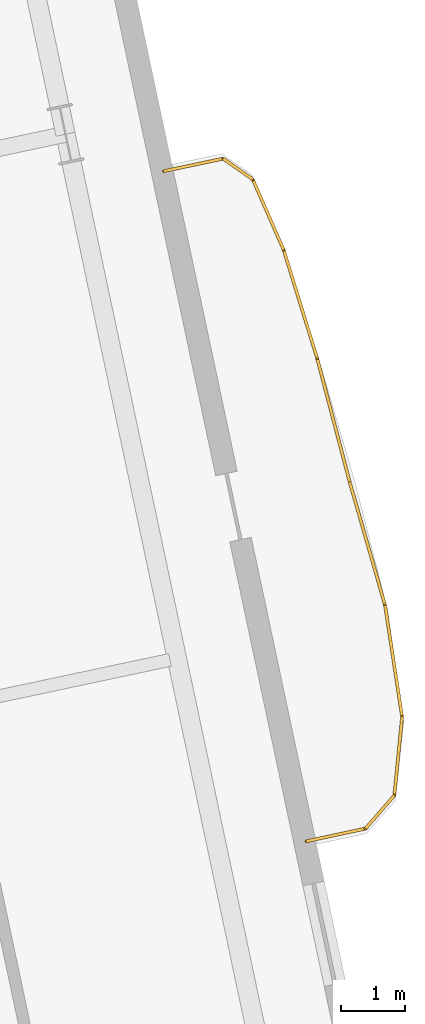
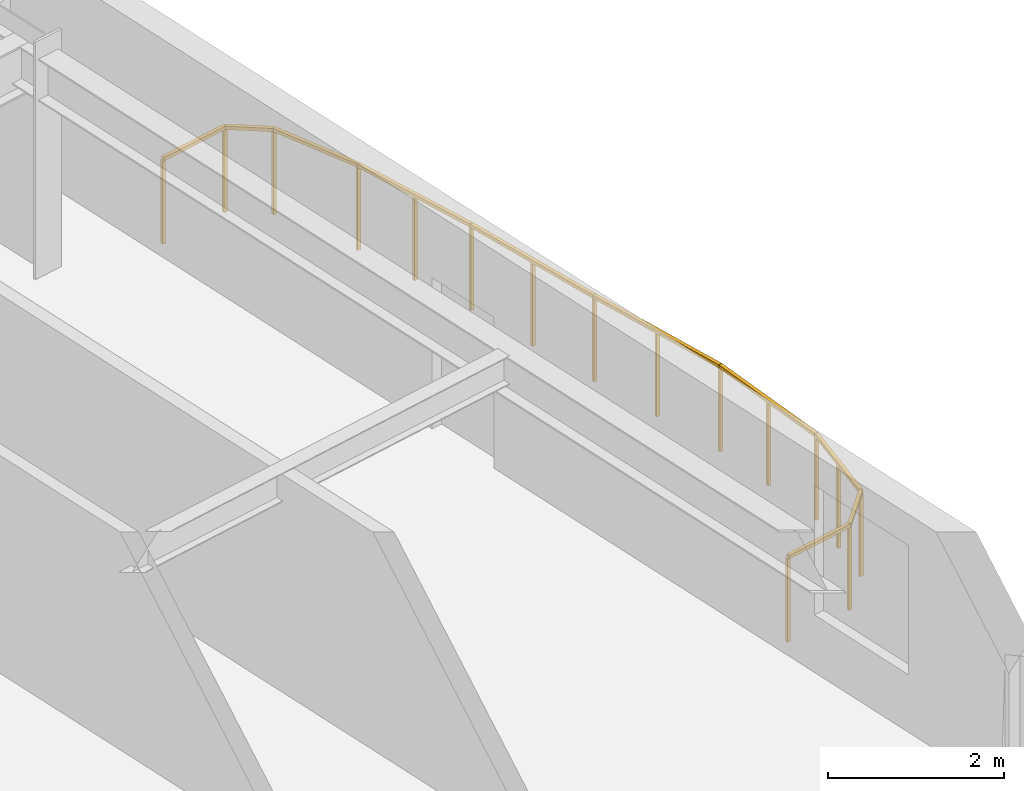
# One storey, part 17 of 17: 10 railings.
"""IFC4 building model written with IfcOpenShell, lengths in metres."""

from ifc_helpers import new_model, si_unit, direction, frame, origin, origin_2d, place, context, subcontext, project, spatial, rectangle, extrude, material, type_object, element, save


model = new_model("IFC4")

# Units and contexts
model_context = context("Model", 3, precision=1e-05, world=origin(), true_north=direction((0.0, 1.0)))
body_context = subcontext(model_context, "Body", "Model", "MODEL_VIEW")
ifc_project = project(units=[si_unit("LENGTHUNIT", "METRE"), si_unit("AREAUNIT", "SQUARE_METRE"), si_unit("VOLUMEUNIT", "CUBIC_METRE"), si_unit("PLANEANGLEUNIT", "RADIAN"), si_unit("MASSUNIT", "GRAM", prefix="KILO")], contexts=[model_context])

# Site, building, storey
site_placement = place(None, origin())
site = spatial("IfcSite", under=ifc_project, at=site_placement, CompositionType="ELEMENT")
building_placement = place(site_placement, origin())
building = spatial("IfcBuilding", under=site, at=building_placement, Name="Haevon Station Towers", CompositionType="ELEMENT")
storey_placement = place(building_placement, frame((0.0, 0.0, 33.89990234375)))
storey = spatial("IfcBuildingStorey", under=building, at=storey_placement, Name="L07", CompositionType="ELEMENT", Elevation=33.89990234375)

# Railings
ifc_material = material(Name="Steel S355", Category="steel")
railing_type = type_object("IfcRailingType", Name="GRD-EXT1200", PredefinedType="GUARDRAIL", material=ifc_material)
railing_1_placement = place(storey_placement, frame((138.47021484375, 28.175537109375, 0.0)))
element("IfcRailing", 1, at=railing_1_placement, inside=storey, type_object=railing_type, Name="L07 Perimeter Guardrail 1", PredefinedType="GUARDRAIL", context=body_context, shape_type="SweptSolid", body=[
    extrude(rectangle(XDim=0.048095703125, YDim=0.048095703125, at=origin_2d()), frame((0.0, 0.0, 1.17578125), z_axis=(0.977684892297, 0.210076774952, 0.0), x_axis=(-0.210076774952, 0.977684892297, 0.0)), (0.0, 0.0, 1.0), 0.943603515625),
    extrude(rectangle(XDim=0.0419921875, YDim=0.0419921875, at=origin_2d()), origin(), (0.0, 0.0, 1.0), 1.15185546875),
    extrude(rectangle(XDim=0.0419921875, YDim=0.0419921875, at=origin_2d()), frame((0.922607421875, 0.1982421875, 0.0)), (0.0, 0.0, 1.0), 1.15185546875),
])
railing_2_placement = place(storey_placement, frame((139.392822265625, 28.373779296875, 0.0)))
element("IfcRailing", 2, at=railing_2_placement, inside=storey, type_object=railing_type, Name="L07 Perimeter Guardrail 2", PredefinedType="GUARDRAIL", context=body_context, shape_type="SweptSolid", body=[
    extrude(rectangle(XDim=0.048095703125, YDim=0.048095703125, at=origin_2d()), frame((0.0, 0.0, 1.17578125), z_axis=(0.655842218903, 0.754897995695, 0.0), x_axis=(-0.754897995695, 0.655842218903, 0.0)), (0.0, 0.0, 1.0), 0.6826171875),
    extrude(rectangle(XDim=0.0419921875, YDim=0.0419921875, at=origin_2d()), origin(), (0.0, 0.0, 1.0), 1.15185546875),
    extrude(rectangle(XDim=0.0419921875, YDim=0.0419921875, at=origin_2d()), frame((0.44775390625, 0.515380859375, 0.0)), (0.0, 0.0, 1.0), 1.15185546875),
])
railing_3_placement = place(storey_placement, frame((139.840576171875, 28.88916015625, 0.0)))
element("IfcRailing", 3, at=railing_3_placement, inside=storey, type_object=railing_type, Name="L07 Perimeter Guardrail 3", PredefinedType="GUARDRAIL", context=body_context, shape_type="SweptSolid", body=[
    extrude(rectangle(XDim=0.048095703125, YDim=0.048095703125, at=origin_2d()), frame((0.0, 0.0, 1.17578125), z_axis=(0.098459885115, 0.995141020671, 0.0), x_axis=(-0.995141020671, 0.098459885115, 0.0)), (0.0, 0.0, 1.0), 1.227294921875),
    extrude(rectangle(XDim=0.0419921875, YDim=0.0419921875, at=origin_2d()), origin(), (0.0, 0.0, 1.0), 1.15185546875),
    extrude(rectangle(XDim=0.0419921875, YDim=0.0419921875, at=origin_2d()), frame((0.060546875, 0.61083984375, 0.0)), (0.0, 0.0, 1.0), 1.15185546875),
    extrude(rectangle(XDim=0.0419921875, YDim=0.0419921875, at=origin_2d()), frame((0.120849609375, 1.221435546875, 0.0)), (0.0, 0.0, 1.0), 1.15185546875),
])
railing_4_placement = place(storey_placement, frame((139.96142578125, 30.110595703125, 0.0)))
element("IfcRailing", 4, at=railing_4_placement, inside=storey, type_object=railing_type, Name="L07 Perimeter Guardrail 4", PredefinedType="GUARDRAIL", context=body_context, shape_type="SweptSolid", body=[
    extrude(rectangle(XDim=0.048095703125, YDim=0.048095703125, at=origin_2d()), frame((0.0, 0.0, 1.17578125), z_axis=(-0.151114322606, 0.988516292988, 0.0), x_axis=(-0.988516292988, -0.151114322606, 0.0)), (0.0, 0.0, 1.0), 1.751220703125),
    extrude(rectangle(XDim=0.0419921875, YDim=0.0419921875, at=origin_2d()), origin(), (0.0, 0.0, 1.0), 1.15185546875),
    extrude(rectangle(XDim=0.0419921875, YDim=0.0419921875, at=origin_2d()), frame((-0.13232421875, 0.86572265625, 0.0)), (0.0, 0.0, 1.0), 1.15185546875),
    extrude(rectangle(XDim=0.0419921875, YDim=0.0419921875, at=origin_2d()), frame((-0.2646484375, 1.731201171875, 0.0)), (0.0, 0.0, 1.0), 1.15185546875),
])
railing_5_placement = place(storey_placement, frame((139.69677734375, 31.841796875, 0.0)))
element("IfcRailing", 5, at=railing_5_placement, inside=storey, type_object=railing_type, Name="L07 Perimeter Guardrail 5", PredefinedType="GUARDRAIL", context=body_context, shape_type="SweptSolid", body=[
    extrude(rectangle(XDim=0.048095703125, YDim=0.048095703125, at=origin_2d()), frame((0.0, 0.0, 1.17578125), z_axis=(-0.275835687337, 0.961204803146, 0.0), x_axis=(-0.961204803146, -0.275835687337, 0.0)), (0.0, 0.0, 1.0), 1.995849609375),
    extrude(rectangle(XDim=0.0419921875, YDim=0.0419921875, at=origin_2d()), origin(), (0.0, 0.0, 1.0), 1.15185546875),
    extrude(rectangle(XDim=0.0419921875, YDim=0.0419921875, at=origin_2d()), frame((-0.275390625, 0.959228515625, 0.0)), (0.0, 0.0, 1.0), 1.15185546875),
    extrude(rectangle(XDim=0.0419921875, YDim=0.0419921875, at=origin_2d()), frame((-0.550537109375, 1.91845703125, 0.0)), (0.0, 0.0, 1.0), 1.15185546875),
])
railing_6_placement = place(storey_placement, frame((139.146240234375, 33.76025390625, 0.0)))
element("IfcRailing", 6, at=railing_6_placement, inside=storey, type_object=railing_type, Name="L07 Perimeter Guardrail 6", PredefinedType="GUARDRAIL", context=body_context, shape_type="SweptSolid", body=[
    extrude(rectangle(XDim=0.048095703125, YDim=0.048095703125, at=origin_2d()), frame((0.0, 0.0, 1.17578125), z_axis=(-0.254203560264, 0.967150737966, 0.0), x_axis=(-0.967150737966, -0.254203560264, 0.0)), (0.0, 0.0, 1.0), 1.990966796875),
    extrude(rectangle(XDim=0.0419921875, YDim=0.0419921875, at=origin_2d()), origin(), (0.0, 0.0, 1.0), 1.15185546875),
    extrude(rectangle(XDim=0.0419921875, YDim=0.0419921875, at=origin_2d()), frame((-0.2529296875, 0.962890625, 0.0)), (0.0, 0.0, 1.0), 1.15185546875),
    extrude(rectangle(XDim=0.0419921875, YDim=0.0419921875, at=origin_2d()), frame((-0.506103515625, 1.925537109375, 0.0)), (0.0, 0.0, 1.0), 1.15185546875),
])
railing_7_placement = place(storey_placement, frame((138.64013671875, 35.685791015625, 0.0)))
element("IfcRailing", 7, at=railing_7_placement, inside=storey, type_object=railing_type, Name="L07 Perimeter Guardrail 7", PredefinedType="GUARDRAIL", context=body_context, shape_type="SweptSolid", body=[
    extrude(rectangle(XDim=0.048095703125, YDim=0.048095703125, at=origin_2d()), frame((0.0, 0.0, 1.17578125), z_axis=(-0.295227875006, 0.955426868902, 0.0), x_axis=(-0.955426868902, -0.295227875006, 0.0)), (0.0, 0.0, 1.0), 1.75732421875),
    extrude(rectangle(XDim=0.0419921875, YDim=0.0419921875, at=origin_2d()), origin(), (0.0, 0.0, 1.0), 1.15185546875),
    extrude(rectangle(XDim=0.0419921875, YDim=0.0419921875, at=origin_2d()), frame((-0.25927734375, 0.83935546875, 0.0)), (0.0, 0.0, 1.0), 1.15185546875),
    extrude(rectangle(XDim=0.0419921875, YDim=0.0419921875, at=origin_2d()), frame((-0.518798828125, 1.678955078125, 0.0)), (0.0, 0.0, 1.0), 1.15185546875),
])
railing_8_placement = place(storey_placement, frame((138.121337890625, 37.36474609375, 0.0)))
element("IfcRailing", 8, at=railing_8_placement, inside=storey, type_object=railing_type, Name="L07 Perimeter Guardrail 8", PredefinedType="GUARDRAIL", context=body_context, shape_type="SweptSolid", body=[
    extrude(rectangle(XDim=0.048095703125, YDim=0.048095703125, at=origin_2d()), frame((0.0, 0.0, 1.17578125), z_axis=(-0.400765228668, 0.916180785375, 0.0), x_axis=(-0.916180785375, -0.400765228668, 0.0)), (0.0, 0.0, 1.0), 1.194580078125),
    extrude(rectangle(XDim=0.0419921875, YDim=0.0419921875, at=origin_2d()), origin(), (0.0, 0.0, 1.0), 1.15185546875),
    extrude(rectangle(XDim=0.0419921875, YDim=0.0419921875, at=origin_2d()), frame((-0.478759765625, 1.094482421875, 0.0)), (0.0, 0.0, 1.0), 1.15185546875),
])
railing_9_placement = place(storey_placement, frame((137.642578125, 38.459228515625, 0.0)))
element("IfcRailing", 9, at=railing_9_placement, inside=storey, type_object=railing_type, Name="L07 Perimeter Guardrail 9", PredefinedType="GUARDRAIL", context=body_context, shape_type="SweptSolid", body=[
    extrude(rectangle(XDim=0.048095703125, YDim=0.048095703125, at=origin_2d()), frame((0.0, 0.0, 1.17578125), z_axis=(-0.820126954301, 0.572181596024, 0.0), x_axis=(-0.572181596024, -0.820126954301, 0.0)), (0.0, 0.0, 1.0), 0.563232421875),
    extrude(rectangle(XDim=0.0419921875, YDim=0.0419921875, at=origin_2d()), origin(), (0.0, 0.0, 1.0), 1.15185546875),
    extrude(rectangle(XDim=0.0419921875, YDim=0.0419921875, at=origin_2d()), frame((-0.4619140625, 0.322265625, 0.0)), (0.0, 0.0, 1.0), 1.15185546875),
])
railing_10_placement = place(storey_placement, frame((137.1806640625, 38.781494140625, 0.0)))
element("IfcRailing", 10, at=railing_10_placement, inside=storey, type_object=railing_type, Name="L07 Perimeter Guardrail 10", PredefinedType="GUARDRAIL", context=body_context, shape_type="SweptSolid", body=[
    extrude(rectangle(XDim=0.048095703125, YDim=0.048095703125, at=origin_2d()), frame((0.0, 0.0, 1.17578125), z_axis=(-0.978571736022, -0.205906186062, 0.0), x_axis=(0.205906186062, -0.978571736022, 0.0)), (0.0, 0.0, 1.0), 0.94384765625),
    extrude(rectangle(XDim=0.0419921875, YDim=0.0419921875, at=origin_2d()), origin(), (0.0, 0.0, 1.0), 1.15185546875),
    extrude(rectangle(XDim=0.0419921875, YDim=0.0419921875, at=origin_2d()), frame((-0.923583984375, -0.1943359375, 0.0)), (0.0, 0.0, 1.0), 1.15185546875),
])

save(model, "model.ifc")
